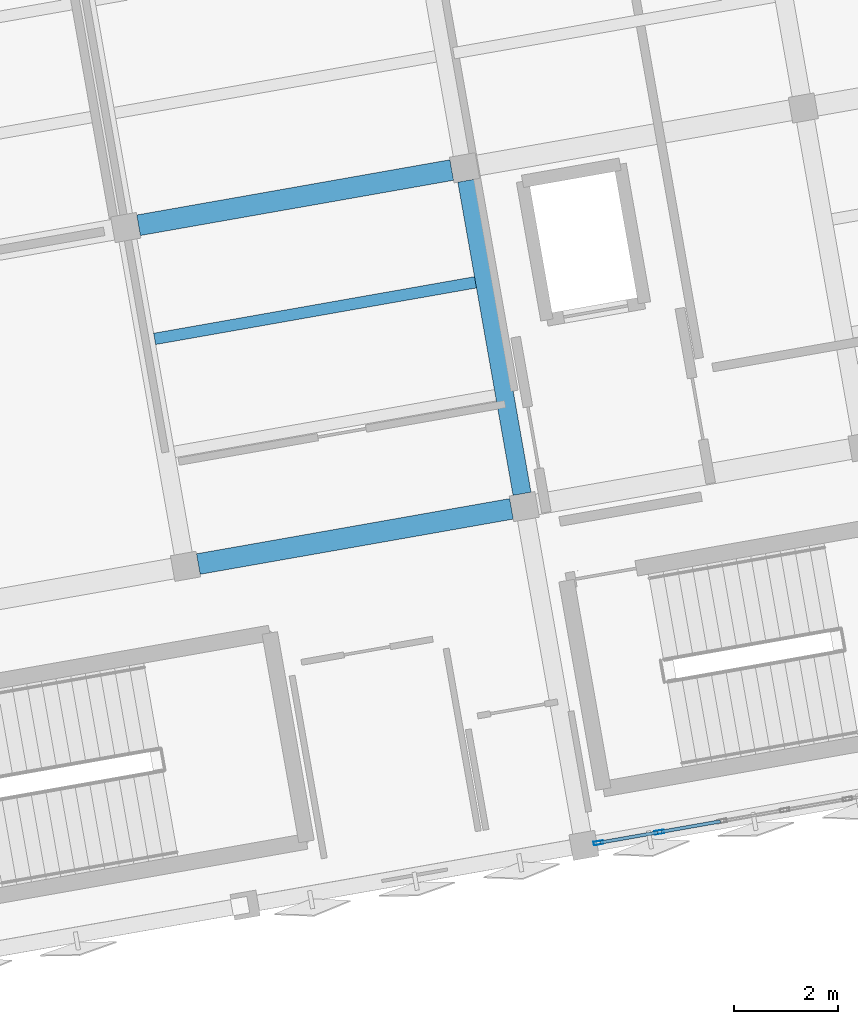
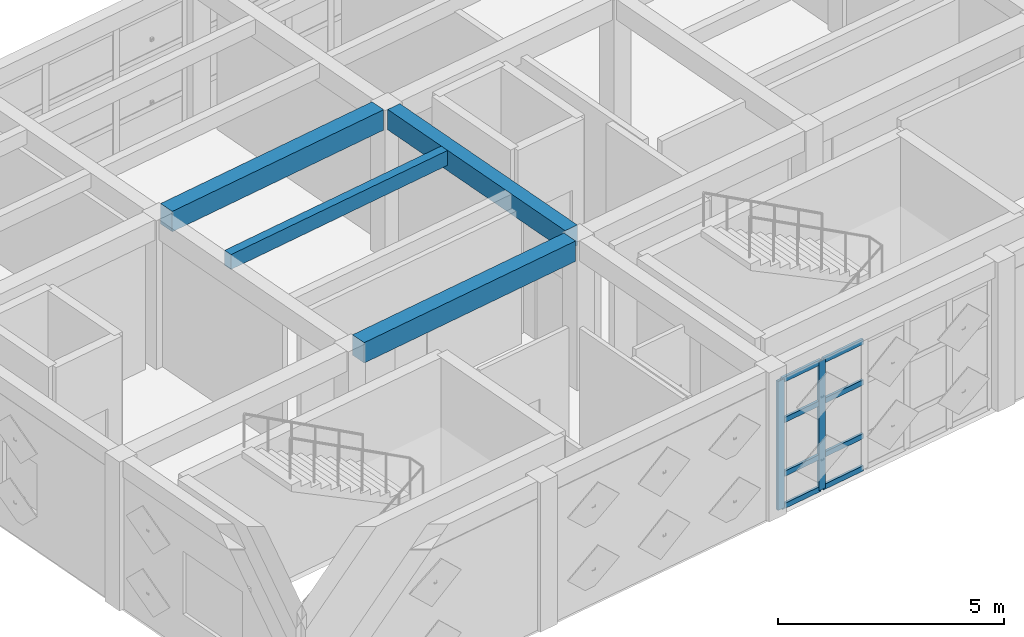
# One storey, part 3 of 13: 10 members, 4 beams, 1 element without a shape of its own.
"""IFC4 building model written with IfcOpenShell, lengths in metres."""

from ifc_helpers import new_model, si_unit, direction, frame, origin, origin_2d, place, context, subcontext, project, spatial, rectangle, hollow_rectangle, extrude, material, layer, layer_set, material_profile, profile_set, type_object, element, aggregate, save


model = new_model("IFC4")

# Units and contexts
model_context = context("Model", 3, precision=1e-05, world=origin(), true_north=direction((0.0, 1.0)))
body_context = subcontext(model_context, "Body", "Model", "MODEL_VIEW")
ifc_project = project(units=[si_unit("LENGTHUNIT", "METRE"), si_unit("AREAUNIT", "SQUARE_METRE"), si_unit("VOLUMEUNIT", "CUBIC_METRE"), si_unit("PLANEANGLEUNIT", "RADIAN"), si_unit("MASSUNIT", "GRAM", prefix="KILO")], contexts=[model_context])

# Site, building, storey
site_placement = place(None, origin())
site = spatial("IfcSite", under=ifc_project, at=site_placement, CompositionType="ELEMENT")
building_placement = place(site_placement, origin())
building = spatial("IfcBuilding", under=site, at=building_placement, Name="Kharisveld Research Institute", CompositionType="ELEMENT")
storey_placement = place(building_placement, frame((0.0, 0.0, 45.0)))
storey = spatial("IfcBuildingStorey", under=building, at=storey_placement, Name="L10", CompositionType="ELEMENT", Elevation=45.0)

# Beams
ifc_material_1 = material(Name="Concrete C40/50", Category="concrete")
ifc_material_profile_1 = material_profile(ifc_material_1, rectangle(XDim=0.35009765625, YDim=0.550048828125, at=origin_2d()))
ifc_profile_set_1 = profile_set([ifc_material_profile_1], Name="Concrete C40/50")
beam_type_1 = type_object("IfcBeamType", Name="BM_RC_350x550", PredefinedType="BEAM", material=ifc_profile_set_1)
beam_1_placement = place(storey_placement, frame((17.010009765625, 44.048095703125, 3.7451171875), z_axis=(-0.173659757005, 0.984805711192, 0.0), x_axis=(-0.984805711192, -0.173659757005, 0.0)))
element("IfcBeam", 1, at=beam_1_placement, inside=storey, type_object=beam_type_1, Name="BM:V1:L10:V2_1", PredefinedType="BEAM", context=body_context, shape_type="SweptSolid", body=[
    extrude(rectangle(XDim=0.35009765625, YDim=0.550048828125, at=origin_2d()), origin(), (0.0, 0.0, 1.0), 6.10009765625),
])
ifc_material_2 = material(Name="Concrete C40/50", Category="concrete")
ifc_material_profile_2 = material_profile(ifc_material_2, rectangle(XDim=0.39990234375, YDim=0.550048828125, at=origin_2d()))
ifc_profile_set_2 = profile_set([ifc_material_profile_2], Name="Concrete C40/50")
beam_type_2 = type_object("IfcBeamType", Name="BM_RC_400x550", PredefinedType="BEAM", material=ifc_profile_set_2)
for number, where, z_axis, x_axis, name in (
    (2, (10.7998046875, 42.69921875, 3.7451171875), (0.984805711192, 0.173659757005, 0.0), (-0.173659757005, 0.984805711192, 0.0), "BM:V1:L10:U1_1"),
    (3, (9.65380859375, 49.198974609375, 3.7451171875), (0.984805711192, 0.173659757005, 0.0), (-0.173659757005, 0.984805711192, 0.0), "BM:V1:L10:U1_2"),
):
    element("IfcBeam", number, at=place(storey_placement, frame(where, z_axis=z_axis, x_axis=x_axis)), inside=storey, type_object=beam_type_2, Name=name, PredefinedType="BEAM", context=body_context, shape_type="SweptSolid", body=[
        extrude(rectangle(XDim=0.39990234375, YDim=0.550048828125, at=origin_2d()), origin(), (0.0, 0.0, 1.0), 6.10009765625),
    ])

# Curtain wall, members
ifc_material_3 = material(Name="Thermally Broken Aluminium Curtain Wall", Category="aluminium")
ifc_layer = layer(ifc_material_3, 0.159912109375)
ifc_layer_set = layer_set([ifc_layer], Name="CW_SYS_02")
curtain_wall_type = type_object("IfcCurtainWallType", Name="CW_SYS_02", PredefinedType="NOTDEFINED", material=ifc_layer_set)
curtain_wall_placement = place(storey_placement, origin())
curtain_wall = element("IfcCurtainWall", 4, at=curtain_wall_placement, inside=storey, type_object=curtain_wall_type, Name="CW:V1:L10:S3", PredefinedType="NOTDEFINED")
ifc_material_4 = material(Name="Anodised Aluminium AW-6063-T6", Category="aluminium")
ifc_material_profile_3 = material_profile(ifc_material_4, hollow_rectangle(XDim=0.070068359375, YDim=0.179931640625, WallThickness=0.00439453125, at=origin_2d()))
ifc_profile_set_3 = profile_set([ifc_material_profile_3], Name="Anodised Aluminium AW-6063-T6")
member_type_1 = type_object("IfcMemberType", Name="CW_MUL_180", PredefinedType="MULLION", material=ifc_profile_set_3)
member_1_placement = place(storey_placement, frame((19.644287109375, 37.556884765625, 0.0), z_axis=(0.0, 0.0, 1.0), x_axis=(0.173648102039, -0.984807766347, 0.0)))
member_1 = element("IfcMember", 5, at=member_1_placement, type_object=member_type_1, Name="CW-02 mullion 5", PredefinedType="MULLION", context=body_context, shape_type="SweptSolid", body=[
    extrude(hollow_rectangle(XDim=0.070068359375, YDim=0.179931640625, WallThickness=0.00439453125, at=origin_2d()), origin(), (0.0, 0.0, 1.0), 3.47998046875),
])
member_2_placement = place(storey_placement, frame((18.47509765625, 37.350830078125, 0.0), z_axis=(0.0, 0.0, 1.0), x_axis=(0.173648102039, -0.984807766347, 0.0)))
member_2 = element("IfcMember", 6, at=member_2_placement, type_object=member_type_1, Name="CW-02 mullion 6", PredefinedType="MULLION", context=body_context, shape_type="SweptSolid", body=[
    extrude(hollow_rectangle(XDim=0.070068359375, YDim=0.179931640625, WallThickness=0.00439453125, at=origin_2d()), origin(), (0.0, 0.0, 1.0), 3.47998046875),
])
ifc_material_5 = material(Name="Anodised Aluminium AW-6063-T6", Category="aluminium")
ifc_material_profile_4 = material_profile(ifc_material_5, hollow_rectangle(XDim=0.06494140625, YDim=0.139892578125, WallThickness=0.00390625, at=origin_2d()))
ifc_profile_set_4 = profile_set([ifc_material_profile_4], Name="Anodised Aluminium AW-6063-T6")
member_type_2 = type_object("IfcMemberType", Name="CW_TRN_140", PredefinedType="USERDEFINED", material=ifc_profile_set_4)
member_3_placement = place(storey_placement, frame((20.813232421875, 37.762939453125, 0.032470703125), z_axis=(-0.984821937543, -0.173567713976, 0.0), x_axis=(0.173567713976, -0.984821937543, 0.0)))
member_3 = element("IfcMember", 7, at=member_3_placement, type_object=member_type_2, Name="CW-02 transom 4.1", ObjectType="TRANSOM", PredefinedType="USERDEFINED", context=body_context, shape_type="SweptSolid", body=[
    extrude(hollow_rectangle(XDim=0.06494140625, YDim=0.139892578125, WallThickness=0.00390625, at=origin_2d()), origin(), (0.0, 0.0, 1.0), 1.152099609375),
])
member_4_placement = place(storey_placement, frame((20.813232421875, 37.762939453125, 0.89990234375), z_axis=(-0.984821937543, -0.173567713976, 0.0), x_axis=(0.173567713976, -0.984821937543, 0.0)))
member_4 = element("IfcMember", 8, at=member_4_placement, type_object=member_type_2, Name="CW-02 transom 4.2", ObjectType="TRANSOM", PredefinedType="USERDEFINED", context=body_context, shape_type="SweptSolid", body=[
    extrude(hollow_rectangle(XDim=0.06494140625, YDim=0.139892578125, WallThickness=0.00390625, at=origin_2d()), origin(), (0.0, 0.0, 1.0), 1.152099609375),
])
member_5_placement = place(storey_placement, frame((20.813232421875, 37.762939453125, 2.35009765625), z_axis=(-0.984821937543, -0.173567713976, 0.0), x_axis=(0.173567713976, -0.984821937543, 0.0)))
member_5 = element("IfcMember", 9, at=member_5_placement, type_object=member_type_2, Name="CW-02 transom 4.3", ObjectType="TRANSOM", PredefinedType="USERDEFINED", context=body_context, shape_type="SweptSolid", body=[
    extrude(hollow_rectangle(XDim=0.06494140625, YDim=0.139892578125, WallThickness=0.00390625, at=origin_2d()), origin(), (0.0, 0.0, 1.0), 1.152099609375),
])
member_6_placement = place(storey_placement, frame((20.813232421875, 37.762939453125, 3.447509765625), z_axis=(-0.984821937543, -0.173567713976, 0.0), x_axis=(0.173567713976, -0.984821937543, 0.0)))
member_6 = element("IfcMember", 10, at=member_6_placement, type_object=member_type_2, Name="CW-02 transom 4.4", ObjectType="TRANSOM", PredefinedType="USERDEFINED", context=body_context, shape_type="SweptSolid", body=[
    extrude(hollow_rectangle(XDim=0.06494140625, YDim=0.139892578125, WallThickness=0.00390625, at=origin_2d()), origin(), (0.0, 0.0, 1.0), 1.152099609375),
])
member_7_placement = place(storey_placement, frame((19.609619140625, 37.55078125, 0.032470703125), z_axis=(-0.984820948469, -0.173573325879, 0.0), x_axis=(0.173573325879, -0.984820948469, 0.0)))
member_7 = element("IfcMember", 11, at=member_7_placement, type_object=member_type_2, Name="CW-02 transom 5.1", ObjectType="TRANSOM", PredefinedType="USERDEFINED", context=body_context, shape_type="SweptSolid", body=[
    extrude(hollow_rectangle(XDim=0.06494140625, YDim=0.139892578125, WallThickness=0.00390625, at=origin_2d()), origin(), (0.0, 0.0, 1.0), 1.11669921875),
])
member_8_placement = place(storey_placement, frame((19.609619140625, 37.55078125, 0.89990234375), z_axis=(-0.984820948469, -0.173573325879, 0.0), x_axis=(0.173573325879, -0.984820948469, 0.0)))
member_8 = element("IfcMember", 12, at=member_8_placement, type_object=member_type_2, Name="CW-02 transom 5.2", ObjectType="TRANSOM", PredefinedType="USERDEFINED", context=body_context, shape_type="SweptSolid", body=[
    extrude(hollow_rectangle(XDim=0.06494140625, YDim=0.139892578125, WallThickness=0.00390625, at=origin_2d()), origin(), (0.0, 0.0, 1.0), 1.11669921875),
])
member_9_placement = place(storey_placement, frame((19.609619140625, 37.55078125, 2.35009765625), z_axis=(-0.984820948469, -0.173573325879, 0.0), x_axis=(0.173573325879, -0.984820948469, 0.0)))
member_9 = element("IfcMember", 13, at=member_9_placement, type_object=member_type_2, Name="CW-02 transom 5.3", ObjectType="TRANSOM", PredefinedType="USERDEFINED", context=body_context, shape_type="SweptSolid", body=[
    extrude(hollow_rectangle(XDim=0.06494140625, YDim=0.139892578125, WallThickness=0.00390625, at=origin_2d()), origin(), (0.0, 0.0, 1.0), 1.11669921875),
])
member_10_placement = place(storey_placement, frame((19.609619140625, 37.55078125, 3.447509765625), z_axis=(-0.984820948469, -0.173573325879, 0.0), x_axis=(0.173573325879, -0.984820948469, 0.0)))
member_10 = element("IfcMember", 14, at=member_10_placement, type_object=member_type_2, Name="CW-02 transom 5.4", ObjectType="TRANSOM", PredefinedType="USERDEFINED", context=body_context, shape_type="SweptSolid", body=[
    extrude(hollow_rectangle(XDim=0.06494140625, YDim=0.139892578125, WallThickness=0.00390625, at=origin_2d()), origin(), (0.0, 0.0, 1.0), 1.11669921875),
])
aggregate(curtain_wall, [member_1, member_2, member_3, member_4, member_5, member_6, member_7, member_8, member_9, member_10])

# Beam
ifc_material_6 = material(Name="Concrete C40/50", Category="concrete")
ifc_material_profile_5 = material_profile(ifc_material_6, rectangle(XDim=0.219970703125, YDim=0.39990234375, at=origin_2d()))
ifc_profile_set_5 = profile_set([ifc_material_profile_5], Name="Concrete C40/50")
beam_type_3 = type_object("IfcBeamType", Name="WB_RC_220x400", PredefinedType="JOIST", material=ifc_profile_set_5)
beam_2_placement = place(storey_placement, frame((9.9619140625, 47.019287109375, 3.820068359375), z_axis=(0.984803607817, 0.173671684596, 0.0), x_axis=(-0.173671684596, 0.984803607817, 0.0)))
element("IfcBeam", 15, at=beam_2_placement, inside=storey, type_object=beam_type_3, Name="BM:V1:L10:J_1_1_R2", PredefinedType="JOIST", context=body_context, shape_type="SweptSolid", body=[
    extrude(rectangle(XDim=0.219970703125, YDim=0.39990234375, at=origin_2d()), origin(), (0.0, 0.0, 1.0), 6.25),
])

save(model, "model.ifc")
